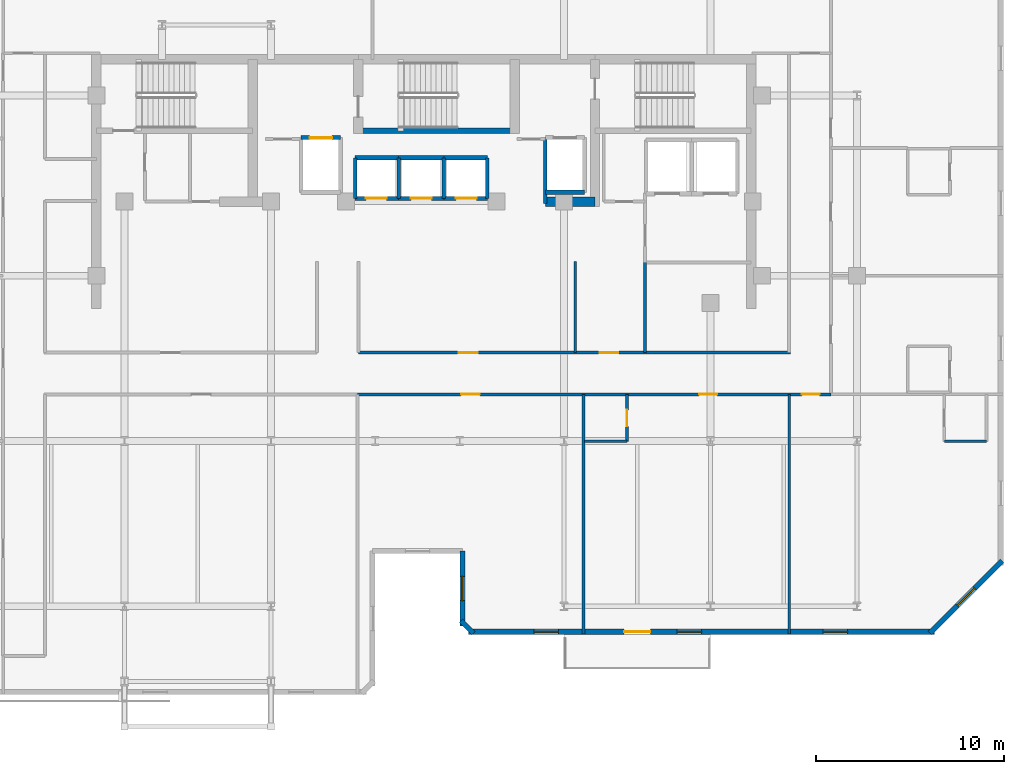
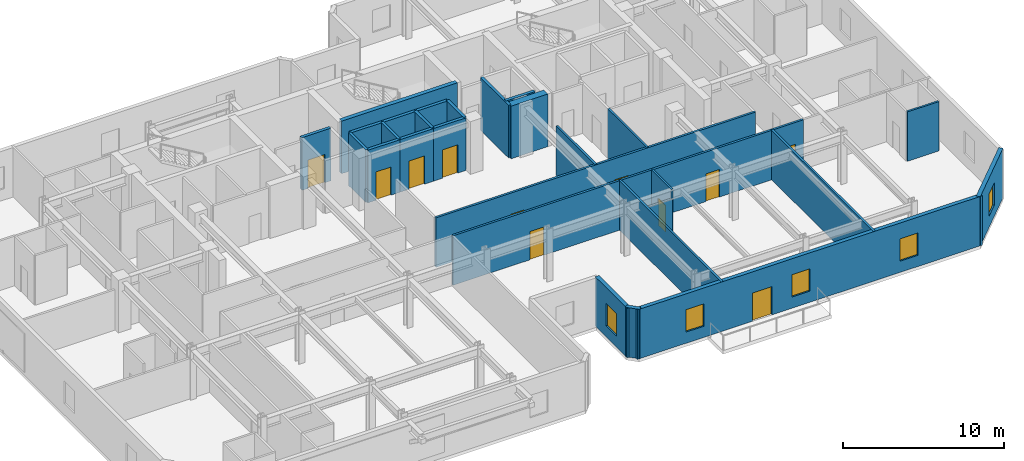
# One storey, part 5 of 10: 28 walls, 11 doors, 5 windows, 16 openings.
"""IFC4 building model written with IfcOpenShell, lengths in metres."""

import ifcopenshell
import ifcopenshell.guid

model = None  # the IFC model being written
_history = None  # IfcOwnerHistory: only IFC2X3 demands one
_inside = {}  # id of a spatial element -> (the spatial element, [elements in it])
_under = {}  # id of a project, library or spatial element -> (it, [spatial elements below it])
_declared = {}  # id of a project -> (the project, [libraries it declares])
_typed = {}  # id of a type object -> (the type object, [elements of that type])
_made_of = {}  # id of a material, layer set ... -> (it, [elements and type objects made of it])


def new_model(schema):
    """Start an empty IFC model of exactly this schema.

    Asked for "IFC4X3", IfcOpenShell would pick the latest addendum, in which some entities
    have other attributes; the version numbers below select the first issue.
    IFC2X3 requires an IfcOwnerHistory on every rooted entity: one is made here for all.
    """
    global model, _history
    if schema == "IFC4X3":
        model = ifcopenshell.file(schema_version=(4, 3, 0, 0))
    else:
        model = ifcopenshell.file(schema=schema)
    _inside.clear()
    _under.clear()
    _declared.clear()
    _typed.clear()
    _made_of.clear()
    _history = None
    if model.schema == "IFC2X3":
        org = make("IfcOrganization", Name="unknown")
        user = make(
            "IfcPersonAndOrganization",
            ThePerson=make("IfcPerson", FamilyName="unknown"),
            TheOrganization=org,
        )
        app = make(
            "IfcApplication",
            ApplicationDeveloper=org,
            Version="unknown",
            ApplicationFullName="unknown",
            ApplicationIdentifier="unknown",
        )
        _history = make(
            "IfcOwnerHistory",
            OwningUser=user,
            OwningApplication=app,
            ChangeAction="ADDED",
            CreationDate=0,
        )
    return model


def make(cls, **values):
    """One entity of the class cls with the attributes given. An attribute that is None is left unset."""
    return model.create_entity(
        cls, **{name: value for name, value in values.items() if value is not None}
    )


def rooted(cls, **values):
    """An entity with a GlobalId (a new one), such as an element, a storey or a relation."""
    return make(cls, GlobalId=ifcopenshell.guid.new(), OwnerHistory=_history, **values)


def si_unit(unit_type, name, prefix=None):
    """IfcSIUnit, for example si_unit("LENGTHUNIT", "METRE", prefix="MILLI")."""
    return make("IfcSIUnit", UnitType=unit_type, Prefix=prefix, Name=name)


def assignment(units):
    """IfcUnitAssignment: the units of a project."""
    return None if units is None else make("IfcUnitAssignment", Units=units)


def point(xyz):
    """IfcCartesianPoint."""
    return None if xyz is None else make("IfcCartesianPoint", Coordinates=xyz)


def direction(xyz):
    """IfcDirection."""
    return None if xyz is None else make("IfcDirection", DirectionRatios=xyz)


def frame(location, z_axis=None, x_axis=None):
    """IfcAxis2Placement3D, a coordinate frame: its origin and axes. An axis left out is left unset."""
    return make(
        "IfcAxis2Placement3D",
        Location=point(location),
        Axis=direction(z_axis),
        RefDirection=direction(x_axis),
    )


def frame_2d(location, x_axis=None):
    """IfcAxis2Placement2D, a coordinate frame in the plane: its origin and x axis."""
    return make(
        "IfcAxis2Placement2D", Location=point(location), RefDirection=direction(x_axis)
    )


def origin():
    """The frame at (0, 0, 0) with its axes left unset."""
    return frame((0.0, 0.0, 0.0))


def place(relative_to, where):
    """IfcLocalPlacement: puts the frame where relative to a parent placement (None: the world)."""
    return make(
        "IfcLocalPlacement", PlacementRelTo=relative_to, RelativePlacement=where
    )


def context(
    kind, dimensions, precision=None, world=None, true_north=None, identifier=None
):
    """IfcGeometricRepresentationContext, for example the 3D "Model" context."""
    return make(
        "IfcGeometricRepresentationContext",
        ContextIdentifier=identifier,
        ContextType=kind,
        CoordinateSpaceDimension=dimensions,
        Precision=precision,
        WorldCoordinateSystem=world,
        TrueNorth=true_north,
    )


def subcontext(parent, identifier, kind, view, scale=None):
    """IfcGeometricRepresentationSubContext, for example "Body" below "Model"."""
    return make(
        "IfcGeometricRepresentationSubContext",
        ContextIdentifier=identifier,
        ContextType=kind,
        ParentContext=parent,
        TargetScale=scale,
        TargetView=view,
    )


def project(units=None, contexts=None):
    """IfcProject with its units and contexts."""
    return rooted(
        "IfcProject",
        Name="project",
        RepresentationContexts=contexts,
        UnitsInContext=assignment(units),
    )


def spatial(cls, under=None, at=None, **own):
    """A site, building, storey or space (cls), placed at a placement, below another one or the project."""
    s = rooted(cls, ObjectPlacement=at, **own)
    if under is not None:
        _under.setdefault(under.id(), (under, []))[1].append(s)
    return s


def profile(cls, at=None, kind="AREA", **sizes):
    """A parametric profile (cls). Its sizes go by their IFC names, for example OverallWidth=200.0."""
    return make(cls, ProfileType=kind, Position=at, **sizes)


def rectangle(**sizes):
    """IfcRectangleProfileDef."""
    return profile("IfcRectangleProfileDef", **sizes)


def extrude(swept, where, along, depth):
    """IfcExtrudedAreaSolid: the profile swept, set in the frame where, extruded along a direction by depth."""
    return make(
        "IfcExtrudedAreaSolid",
        SweptArea=swept,
        Position=where,
        ExtrudedDirection=direction(along),
        Depth=depth,
    )


def shape(context_of_items, identifier, shape_type, items):
    """IfcShapeRepresentation: the items that make up one representation, for example the "Body"."""
    return make(
        "IfcShapeRepresentation",
        ContextOfItems=context_of_items,
        RepresentationIdentifier=identifier,
        RepresentationType=shape_type,
        Items=items,
    )


def material(Name=None, Category=None):
    """IfcMaterial."""
    return make("IfcMaterial", Name=Name, Category=Category)


def layer(
    of_material, thickness, ventilated=None, Name=None, Category=None, Priority=None
):
    """IfcMaterialLayer: one layer of a wall or slab, of a material (None: an air gap)."""
    return make(
        "IfcMaterialLayer",
        Material=of_material,
        LayerThickness=thickness,
        IsVentilated=ventilated,
        Name=Name,
        Category=Category,
        Priority=Priority,
    )


def layer_set(layers, Name=None):
    """IfcMaterialLayerSet."""
    return make("IfcMaterialLayerSet", MaterialLayers=layers, LayerSetName=Name)


def made_of(thing, what):
    """Note that an element or type object is made of a material, layer set ...; save() writes the relation."""
    if what is not None:
        _made_of.setdefault(what.id(), (what, []))[1].append(thing)
    return thing


def type_object(cls, material=None, **own):
    """A type object (cls), such as IfcWallType, which elements share."""
    return made_of(rooted(cls, **own), material)


def element(
    cls,
    number,
    at=None,
    inside=None,
    cuts=None,
    type_object=None,
    material=None,
    context=None,
    identifier="Body",
    shape_type=None,
    held_by="IfcProductDefinitionShape",
    body=None,
    shapes=None,
    **own,
):
    """One element of the class cls, such as IfcWall. Its Tag is "e" and its number.

    at: its placement. inside: the storey or other place that contains it. cuts: it is an
    opening in that element (IfcRelVoidsElement). A single representation is given by context,
    identifier, shape_type and body (its items); several are given by shapes. held_by: the class
    of the entity that holds the representations. save() writes the other relations.
    """
    e = rooted(cls, Tag="e%d" % number, ObjectPlacement=at, **own)
    if body is not None:
        shapes = [shape(context, identifier, shape_type, body)]
    if shapes is not None:
        e.Representation = make(held_by, Representations=shapes)
    if inside is not None:
        _inside.setdefault(inside.id(), (inside, []))[1].append(e)
    if cuts is not None:
        rooted(
            "IfcRelVoidsElement", RelatingBuildingElement=cuts, RelatedOpeningElement=e
        )
    if type_object is not None:
        _typed.setdefault(type_object.id(), (type_object, []))[1].append(e)
    return made_of(e, material)


def fill(opening, filler):
    """IfcRelFillsElement: the door or window that sits in an opening."""
    return rooted(
        "IfcRelFillsElement",
        RelatingOpeningElement=opening,
        RelatedBuildingElement=filler,
    )


def aggregate(whole, parts):
    """IfcRelAggregates: a whole, such as a stair, and the parts it consists of."""
    return rooted("IfcRelAggregates", RelatingObject=whole, RelatedObjects=parts)


def save(model, path):
    """Write the relations noted so far, then the file.

    IfcRelAggregates (storeys below a building ...), IfcRelContainedInSpatialStructure (elements
    in a storey), IfcRelDefinesByType, IfcRelAssociatesMaterial and IfcRelDeclares: one each for
    every whole, place, type object, material and project.
    """
    for whole, parts in _under.values():
        aggregate(whole, parts)
    for where, things in _inside.values():
        rooted(
            "IfcRelContainedInSpatialStructure",
            RelatedElements=things,
            RelatingStructure=where,
        )
    for kind, things in _typed.values():
        rooted("IfcRelDefinesByType", RelatedObjects=things, RelatingType=kind)
    for what, things in _made_of.values():
        rooted("IfcRelAssociatesMaterial", RelatedObjects=things, RelatingMaterial=what)
    for by, libraries in _declared.values():
        rooted("IfcRelDeclares", RelatingContext=by, RelatedDefinitions=libraries)
    model.write(path)


model = new_model("IFC4")

# Units and contexts
model_context = context("Model", 3, precision=1e-05, world=origin(), true_north=direction((0.0, 1.0)))
body_context = subcontext(model_context, "Body", "Model", "MODEL_VIEW")
ifc_project = project(units=[si_unit("LENGTHUNIT", "METRE"), si_unit("AREAUNIT", "SQUARE_METRE"), si_unit("VOLUMEUNIT", "CUBIC_METRE"), si_unit("PLANEANGLEUNIT", "RADIAN"), si_unit("MASSUNIT", "GRAM", prefix="KILO")], contexts=[model_context])

# Site, building, storey
site_placement = place(None, origin())
site = spatial("IfcSite", under=ifc_project, at=site_placement, CompositionType="ELEMENT")
building_placement = place(site_placement, origin())
building = spatial("IfcBuilding", under=site, at=building_placement, Name="Kestravale Grand Hotel", CompositionType="ELEMENT")
storey_placement = place(building_placement, frame((0.0, 0.0, 269.39990234375)))
storey = spatial("IfcBuildingStorey", under=building, at=storey_placement, Name="L67", CompositionType="ELEMENT", Elevation=269.39990234375)

# Wall
ifc_material_1 = material(Name="Concrete f'c 50 MPa", Category="concrete")
ifc_layer_1 = layer(ifc_material_1, 0.5)
ifc_layer_set_1 = layer_set([ifc_layer_1], Name="EW-CORE-500")
wall_type_1 = type_object("IfcWallType", Name="EW-CORE-500", PredefinedType="SHEAR", material=ifc_layer_set_1)
wall_1_placement = place(storey_placement, frame((45.81005859375, 32.75, 0.0), z_axis=(0.0, 0.0, 1.0), x_axis=(1.0, 0.0, 0.0)))
element("IfcWall", 1, at=wall_1_placement, inside=storey, type_object=wall_type_1, Name="L67 core shear wall S2", PredefinedType="SHEAR", context=body_context, shape_type="SweptSolid", body=[
    extrude(rectangle(XDim=2.639892578125, YDim=0.5, at=frame_2d((1.31982421875, 0.0))), origin(), (0.0, 0.0, 1.0), 4.0),
])

# Wall, opening, window
ifc_material_2 = material(Name="Precast concrete f'c 45 MPa", Category="concrete")
ifc_layer_2 = layer(ifc_material_2, 0.280029296875)
ifc_layer_set_2 = layer_set([ifc_layer_2], Name="EW-PREC-280")
wall_type_2 = type_object("IfcWallType", Name="EW-PREC-280", PredefinedType="SOLIDWALL", material=ifc_layer_set_2)
wall_2_placement = place(storey_placement, frame((41.389892578125, 14.139892578125, 0.0), z_axis=(0.0, 0.0, 1.0), x_axis=(0.0, -1.0, 0.0)))
wall_2 = element("IfcWall", 2, at=wall_2_placement, inside=storey, type_object=wall_type_2, Name="L67 fluted precast facade wall 5", PredefinedType="SOLIDWALL", context=body_context, shape_type="SweptSolid", body=[
    extrude(rectangle(XDim=3.97998046875, YDim=0.280029296875, at=frame_2d((1.989990234375, 0.0))), origin(), (0.0, 0.0, 1.0), 3.760009765625),
])
opening_1_placement = place(wall_2_placement, frame((1.340087890625, 0.0, 0.85009765625)))
opening_1 = element("IfcOpeningElement", 3, at=opening_1_placement, cuts=wall_2, Name="Opening W-GUEST-1300", PredefinedType="OPENING", context=body_context, shape_type="SweptSolid", body=[
    extrude(rectangle(XDim=1.300048828125, YDim=1.699951171875, at=frame_2d((0.64990234375, 0.85009765625))), frame((0.0, 0.14990234375, 0.0), z_axis=(0.0, -1.0, 0.0), x_axis=(1.0, 0.0, 0.0)), (0.0, 0.0, 1.0), 0.300048828125),
])
ifc_material_3 = material(Name="Insulated low-E double glazing in aluminium frame", Category="aluminium")
window_type = type_object("IfcWindowType", Name="W-GUEST-1300", PartitioningType="SINGLE_PANEL", PredefinedType="WINDOW", material=ifc_material_3)
window_1_placement = place(opening_1_placement, origin())
window_1 = element("IfcWindow", 4, at=window_1_placement, inside=storey, type_object=window_type, Name="L67 exterior window 5.1", OverallHeight=1.699951171875, OverallWidth=1.300048828125, PartitioningType="SINGLE_PANEL", PredefinedType="WINDOW", context=body_context, shape_type="SweptSolid", body=[
    extrude(rectangle(XDim=1.300048828125, YDim=1.699951171875, at=frame_2d((0.64990234375, 0.85009765625))), frame((0.0, 0.030029296875, 0.0), z_axis=(0.0, -1.0, 0.0), x_axis=(1.0, 0.0, 0.0)), (0.0, 0.0, 1.0), 0.06005859375),
])
fill(opening_1, window_1)

# Wall
wall_3_placement = place(storey_placement, frame((41.32080078125, 10.42724609375, 0.0), z_axis=(0.0, 0.0, 1.0), x_axis=(0.707106781187, -0.707106781187, 0.0)))
element("IfcWall", 5, at=wall_3_placement, inside=storey, type_object=wall_type_2, Name="L67 fluted precast facade wall 6", PredefinedType="SOLIDWALL", context=body_context, shape_type="SweptSolid", body=[
    extrude(rectangle(XDim=0.928466796875, YDim=0.280029296875, at=frame_2d((0.46435546875, 0.0))), origin(), (0.0, 0.0, 1.0), 3.760009765625),
])

# Wall, openings, door, windows
wall_4_placement = place(storey_placement, frame((41.7099609375, 9.840087890625, 0.0), z_axis=(0.0, 0.0, 1.0), x_axis=(1.0, 0.0, 0.0)))
wall_4 = element("IfcWall", 6, at=wall_4_placement, inside=storey, type_object=wall_type_2, Name="L67 fluted precast facade wall 7", PredefinedType="SOLIDWALL", context=body_context, shape_type="SweptSolid", body=[
    extrude(rectangle(XDim=24.830078125, YDim=0.280029296875, at=frame_2d((12.4150390625, 0.0))), origin(), (0.0, 0.0, 1.0), 3.760009765625),
])
opening_2_placement = place(wall_4_placement, frame((8.2900390625, 0.0, 0.0)))
opening_2 = element("IfcOpeningElement", 7, at=opening_2_placement, cuts=wall_4, Name="Opening D-TERR-1400", PredefinedType="OPENING", context=body_context, shape_type="SweptSolid", body=[
    extrude(rectangle(XDim=1.39990234375, YDim=2.14990234375, at=frame_2d((0.699951171875, 1.074951171875))), frame((0.0, 0.14990234375, 0.0), z_axis=(0.0, -1.0, 0.0), x_axis=(1.0, 0.0, 0.0)), (0.0, 0.0, 1.0), 0.300048828125),
])
opening_3_placement = place(wall_4_placement, frame((3.48828125, 0.0, 0.85009765625)))
opening_3 = element("IfcOpeningElement", 8, at=opening_3_placement, cuts=wall_4, Name="Opening W-GUEST-1300", PredefinedType="OPENING", context=body_context, shape_type="SweptSolid", body=[
    extrude(rectangle(XDim=1.300048828125, YDim=1.699951171875, at=frame_2d((0.64990234375, 0.85009765625))), frame((0.0, 0.14990234375, 0.0), z_axis=(0.0, -1.0, 0.0), x_axis=(1.0, 0.0, 0.0)), (0.0, 0.0, 1.0), 0.300048828125),
])
opening_4_placement = place(wall_4_placement, frame((11.114990234375, 0.0, 0.85009765625)))
opening_4 = element("IfcOpeningElement", 9, at=opening_4_placement, cuts=wall_4, Name="Opening W-GUEST-1300", PredefinedType="OPENING", context=body_context, shape_type="SweptSolid", body=[
    extrude(rectangle(XDim=1.300048828125, YDim=1.699951171875, at=frame_2d((0.64990234375, 0.85009765625))), frame((0.0, 0.14990234375, 0.0), z_axis=(0.0, -1.0, 0.0), x_axis=(1.0, 0.0, 0.0)), (0.0, 0.0, 1.0), 0.300048828125),
])
opening_5_placement = place(wall_4_placement, frame((18.8916015625, 0.0, 0.85009765625)))
opening_5 = element("IfcOpeningElement", 10, at=opening_5_placement, cuts=wall_4, Name="Opening W-GUEST-1300", PredefinedType="OPENING", context=body_context, shape_type="SweptSolid", body=[
    extrude(rectangle(XDim=1.300048828125, YDim=1.699951171875, at=frame_2d((0.64990234375, 0.85009765625))), frame((0.0, 0.14990234375, 0.0), z_axis=(0.0, -1.0, 0.0), x_axis=(1.0, 0.0, 0.0)), (0.0, 0.0, 1.0), 0.300048828125),
])
ifc_material_4 = material(Name="Insulated glazed champagne-bronze aluminium door", Category="aluminium")
door_type_1 = type_object("IfcDoorType", Name="D-TERR-1400", OperationType="NOTDEFINED", PredefinedType="DOOR", material=ifc_material_4)
door_1_placement = place(opening_2_placement, origin())
door_1 = element("IfcDoor", 11, at=door_1_placement, inside=storey, type_object=door_type_1, Name="L67 outdoor garden terrace door", OperationType="DOUBLE_DOOR_SINGLE_SWING", OverallHeight=2.14990234375, OverallWidth=1.39990234375, PredefinedType="DOOR", context=body_context, shape_type="SweptSolid", body=[
    extrude(rectangle(XDim=1.39990234375, YDim=2.14990234375, at=frame_2d((0.699951171875, 1.074951171875))), frame((0.0, 0.02490234375, 0.0), z_axis=(0.0, -1.0, 0.0), x_axis=(1.0, 0.0, 0.0)), (0.0, 0.0, 1.0), 0.050048828125),
])
fill(opening_2, door_1)
window_2_placement = place(opening_3_placement, origin())
window_2 = element("IfcWindow", 12, at=window_2_placement, inside=storey, type_object=window_type, Name="L67 exterior window 7.1", OverallHeight=1.699951171875, OverallWidth=1.300048828125, PartitioningType="SINGLE_PANEL", PredefinedType="WINDOW", context=body_context, shape_type="SweptSolid", body=[
    extrude(rectangle(XDim=1.300048828125, YDim=1.699951171875, at=frame_2d((0.64990234375, 0.85009765625))), frame((0.0, 0.030029296875, 0.0), z_axis=(0.0, -1.0, 0.0), x_axis=(1.0, 0.0, 0.0)), (0.0, 0.0, 1.0), 0.06005859375),
])
fill(opening_3, window_2)
window_3_placement = place(opening_4_placement, origin())
window_3 = element("IfcWindow", 13, at=window_3_placement, inside=storey, type_object=window_type, Name="L67 exterior window 7.2", OverallHeight=1.699951171875, OverallWidth=1.300048828125, PartitioningType="SINGLE_PANEL", PredefinedType="WINDOW", context=body_context, shape_type="SweptSolid", body=[
    extrude(rectangle(XDim=1.300048828125, YDim=1.699951171875, at=frame_2d((0.64990234375, 0.85009765625))), frame((0.0, 0.030029296875, 0.0), z_axis=(0.0, -1.0, 0.0), x_axis=(1.0, 0.0, 0.0)), (0.0, 0.0, 1.0), 0.06005859375),
])
fill(opening_4, window_3)
window_4_placement = place(opening_5_placement, origin())
window_4 = element("IfcWindow", 14, at=window_4_placement, inside=storey, type_object=window_type, Name="L67 exterior window 7.3", OverallHeight=1.699951171875, OverallWidth=1.300048828125, PartitioningType="SINGLE_PANEL", PredefinedType="WINDOW", context=body_context, shape_type="SweptSolid", body=[
    extrude(rectangle(XDim=1.300048828125, YDim=1.699951171875, at=frame_2d((0.64990234375, 0.85009765625))), frame((0.0, 0.030029296875, 0.0), z_axis=(0.0, -1.0, 0.0), x_axis=(1.0, 0.0, 0.0)), (0.0, 0.0, 1.0), 0.06005859375),
])
fill(opening_5, window_4)

# Wall, opening, window
wall_5_placement = place(storey_placement, frame((66.272705078125, 9.770751953125, 0.0), z_axis=(0.0, 0.0, 1.0), x_axis=(0.707129162587, 0.707084399077, 0.0)))
wall_5 = element("IfcWall", 15, at=wall_5_placement, inside=storey, type_object=wall_type_2, Name="L67 fluted precast facade wall 8", PredefinedType="SOLIDWALL", context=body_context, shape_type="SweptSolid", body=[
    extrude(rectangle(XDim=5.4541015625, YDim=0.280029296875, at=frame_2d((2.72705078125, 0.0))), origin(), (0.0, 0.0, 1.0), 3.760009765625),
])
opening_6_placement = place(wall_5_placement, frame((2.076904296875, 0.0, 0.85009765625)))
opening_6 = element("IfcOpeningElement", 16, at=opening_6_placement, cuts=wall_5, Name="Opening W-GUEST-1300", PredefinedType="OPENING", context=body_context, shape_type="SweptSolid", body=[
    extrude(rectangle(XDim=1.300048828125, YDim=1.699951171875, at=frame_2d((0.64990234375, 0.85009765625))), frame((0.0, 0.14990234375, 0.0), z_axis=(0.0, -1.0, 0.0), x_axis=(1.0, 0.0, 0.0)), (0.0, 0.0, 1.0), 0.300048828125),
])
window_5_placement = place(opening_6_placement, origin())
window_5 = element("IfcWindow", 17, at=window_5_placement, inside=storey, type_object=window_type, Name="L67 exterior window 8.1", OverallHeight=1.699951171875, OverallWidth=1.300048828125, PartitioningType="SINGLE_PANEL", PredefinedType="WINDOW", context=body_context, shape_type="SweptSolid", body=[
    extrude(rectangle(XDim=1.300048828125, YDim=1.699951171875, at=frame_2d((0.64990234375, 0.85009765625))), frame((0.0, 0.030029296875, 0.0), z_axis=(0.0, -1.0, 0.0), x_axis=(1.0, 0.0, 0.0)), (0.0, 0.0, 1.0), 0.06005859375),
])
fill(opening_6, window_5)

# Wall
ifc_material_5 = material(Name="Concrete f'c 45 MPa", Category="concrete")
ifc_layer_3 = layer(ifc_material_5, 0.300048828125)
ifc_layer_set_3 = layer_set([ifc_layer_3], Name="EW-STAIR-300")
wall_type_3 = type_object("IfcWallType", Name="EW-STAIR-300", PredefinedType="SHEAR", material=ifc_layer_set_3)
wall_6_placement = place(storey_placement, frame((35.85009765625, 36.52001953125, 0.0), z_axis=(0.0, 0.0, 1.0), x_axis=(1.0, 0.0, 0.0)))
element("IfcWall", 18, at=wall_6_placement, inside=storey, type_object=wall_type_3, Name="L67 stair enclosure shear wall SST2", PredefinedType="SHEAR", context=body_context, shape_type="SweptSolid", body=[
    extrude(rectangle(XDim=8.329833984375, YDim=0.300048828125, at=frame_2d((4.1650390625, 0.0))), origin(), (0.0, 0.0, 1.0), 4.0),
])

# Wall, openings, doors
ifc_material_6 = material(Name="Acoustic fire-rated gypsum board partition", Category="other")
ifc_layer_4 = layer(ifc_material_6, 0.159912109375)
ifc_layer_set_4 = layer_set([ifc_layer_4], Name="IW-CORR-160")
wall_type_4 = type_object("IfcWallType", Name="IW-CORR-160", PredefinedType="PARTITIONING", material=ifc_layer_set_4)
wall_7_placement = place(storey_placement, frame((35.85009765625, 24.7099609375, 0.0), z_axis=(0.0, 0.0, 1.0), x_axis=(1.0, 0.0, 0.0)))
wall_7 = element("IfcWall", 19, at=wall_7_placement, inside=storey, type_object=wall_type_4, Name="W-L67-CE-N", PredefinedType="PARTITIONING", context=body_context, shape_type="SweptSolid", body=[
    extrude(rectangle(XDim=23.0, YDim=0.159912109375, at=frame_2d((11.5, 0.0))), origin(), (0.0, 0.0, 1.0), 3.760009765625),
])
opening_7_placement = place(wall_7_placement, frame((5.35009765625, 0.0, 0.0)))
opening_7 = element("IfcOpeningElement", 20, at=opening_7_placement, cuts=wall_7, Name="Opening D-GUEST-1000", PredefinedType="OPENING", context=body_context, shape_type="SweptSolid", body=[
    extrude(rectangle(XDim=1.0, YDim=2.14990234375, at=frame_2d((0.5, 1.074951171875))), frame((0.0, 0.08984375, 0.0), z_axis=(0.0, -1.0, 0.0), x_axis=(1.0, 0.0, 0.0)), (0.0, 0.0, 1.0), 0.179931640625),
])
opening_8_placement = place(wall_7_placement, frame((12.85009765625, 0.0, 0.0)))
opening_8 = element("IfcOpeningElement", 21, at=opening_8_placement, cuts=wall_7, Name="Opening D-GUEST-1000", PredefinedType="OPENING", context=body_context, shape_type="SweptSolid", body=[
    extrude(rectangle(XDim=1.0, YDim=2.14990234375, at=frame_2d((0.5, 1.074951171875))), frame((0.0, 0.08984375, 0.0), z_axis=(0.0, -1.0, 0.0), x_axis=(1.0, 0.0, 0.0)), (0.0, 0.0, 1.0), 0.179931640625),
])
ifc_material_7 = material(Name="Accessible walnut veneer hotel entrance fire door", Category="wood")
door_type_2 = type_object("IfcDoorType", Name="D-GUEST-1000", OperationType="NOTDEFINED", PredefinedType="DOOR", material=ifc_material_7)
door_2_placement = place(opening_7_placement, origin())
door_2 = element("IfcDoor", 22, at=door_2_placement, inside=storey, type_object=door_type_2, Name="D-L67-RECL-E1", OperationType="SINGLE_SWING_RIGHT", OverallHeight=2.14990234375, OverallWidth=1.0, PredefinedType="DOOR", context=body_context, shape_type="SweptSolid", body=[
    extrude(rectangle(XDim=1.0, YDim=2.14990234375, at=frame_2d((0.5, 1.074951171875))), frame((0.0, 0.02490234375, 0.0), z_axis=(0.0, -1.0, 0.0), x_axis=(1.0, 0.0, 0.0)), (0.0, 0.0, 1.0), 0.050048828125),
])
fill(opening_7, door_2)
door_3_placement = place(opening_8_placement, origin())
door_3 = element("IfcDoor", 23, at=door_3_placement, inside=storey, type_object=door_type_2, Name="D-L67-RECL-E2", OperationType="SINGLE_SWING_LEFT", OverallHeight=2.14990234375, OverallWidth=1.0, PredefinedType="DOOR", context=body_context, shape_type="SweptSolid", body=[
    extrude(rectangle(XDim=1.0, YDim=2.14990234375, at=frame_2d((0.5, 1.074951171875))), frame((0.0, 0.02490234375, 0.0), z_axis=(0.0, -1.0, 0.0), x_axis=(1.0, 0.0, 0.0)), (0.0, 0.0, 1.0), 0.050048828125),
])
fill(opening_8, door_3)

wall_8_placement = place(storey_placement, frame((35.800048828125, 22.489990234375, 0.0), z_axis=(0.0, 0.0, 1.0), x_axis=(1.0, 0.0, 0.0)))
wall_8 = element("IfcWall", 24, at=wall_8_placement, inside=storey, type_object=wall_type_4, Name="W-L67-CE-S", PredefinedType="PARTITIONING", context=body_context, shape_type="SweptSolid", body=[
    extrude(rectangle(XDim=25.2099609375, YDim=0.159912109375, at=frame_2d((12.60498046875, 0.0))), origin(), (0.0, 0.0, 1.0), 3.760009765625),
])
opening_9_placement = place(wall_8_placement, frame((5.5224609375, 0.0, 0.0)))
opening_9 = element("IfcOpeningElement", 25, at=opening_9_placement, cuts=wall_8, Name="Opening D-GUEST-1000", PredefinedType="OPENING", context=body_context, shape_type="SweptSolid", body=[
    extrude(rectangle(XDim=1.0, YDim=2.14990234375, at=frame_2d((0.5, 1.074951171875))), frame((0.0, 0.08984375, 0.0), z_axis=(0.0, -1.0, 0.0), x_axis=(1.0, 0.0, 0.0)), (0.0, 0.0, 1.0), 0.179931640625),
])
opening_10_placement = place(wall_8_placement, frame((18.197509765625, 0.0, 0.0)))
opening_10 = element("IfcOpeningElement", 26, at=opening_10_placement, cuts=wall_8, Name="Opening D-GUEST-950", PredefinedType="OPENING", context=body_context, shape_type="SweptSolid", body=[
    extrude(rectangle(XDim=0.949951171875, YDim=2.10009765625, at=frame_2d((0.47509765625, 1.050048828125))), frame((0.0, 0.08984375, 0.0), z_axis=(0.0, -1.0, 0.0), x_axis=(1.0, 0.0, 0.0)), (0.0, 0.0, 1.0), 0.179931640625),
])
opening_11_placement = place(wall_8_placement, frame((23.6650390625, 0.0, 0.0)))
opening_11 = element("IfcOpeningElement", 27, at=opening_11_placement, cuts=wall_8, Name="Opening D-GUEST-950", PredefinedType="OPENING", context=body_context, shape_type="SweptSolid", body=[
    extrude(rectangle(XDim=0.949951171875, YDim=2.10009765625, at=frame_2d((0.47509765625, 1.050048828125))), frame((0.0, 0.08984375, 0.0), z_axis=(0.0, -1.0, 0.0), x_axis=(1.0, 0.0, 0.0)), (0.0, 0.0, 1.0), 0.179931640625),
])
door_4_placement = place(opening_9_placement, origin())
door_4 = element("IfcDoor", 28, at=door_4_placement, inside=storey, type_object=door_type_2, Name="D-L67-AME", OperationType="SINGLE_SWING_LEFT", OverallHeight=2.14990234375, OverallWidth=1.0, PredefinedType="DOOR", context=body_context, shape_type="SweptSolid", body=[
    extrude(rectangle(XDim=1.0, YDim=2.14990234375, at=frame_2d((0.5, 1.074951171875))), frame((0.0, 0.02490234375, 0.0), z_axis=(0.0, -1.0, 0.0), x_axis=(1.0, 0.0, 0.0)), (0.0, 0.0, 1.0), 0.050048828125),
])
fill(opening_9, door_4)
ifc_material_8 = material(Name="Walnut veneer hotel guestroom entrance fire door", Category="wood")
door_type_3 = type_object("IfcDoorType", Name="D-GUEST-950", OperationType="NOTDEFINED", PredefinedType="DOOR", material=ifc_material_8)
door_5_placement = place(opening_10_placement, origin())
door_5 = element("IfcDoor", 29, at=door_5_placement, inside=storey, type_object=door_type_3, Name="D-L67-U01-ENT", OperationType="SINGLE_SWING_LEFT", OverallHeight=2.10009765625, OverallWidth=0.949951171875, PredefinedType="DOOR", context=body_context, shape_type="SweptSolid", body=[
    extrude(rectangle(XDim=0.949951171875, YDim=2.10009765625, at=frame_2d((0.47509765625, 1.050048828125))), frame((0.0, 0.02490234375, 0.0), z_axis=(0.0, -1.0, 0.0), x_axis=(1.0, 0.0, 0.0)), (0.0, 0.0, 1.0), 0.050048828125),
])
fill(opening_10, door_5)
door_6_placement = place(opening_11_placement, origin())
door_6 = element("IfcDoor", 30, at=door_6_placement, inside=storey, type_object=door_type_3, Name="D-L67-U05-ENT", OperationType="SINGLE_SWING_RIGHT", OverallHeight=2.10009765625, OverallWidth=0.949951171875, PredefinedType="DOOR", context=body_context, shape_type="SweptSolid", body=[
    extrude(rectangle(XDim=0.949951171875, YDim=2.10009765625, at=frame_2d((0.47509765625, 1.050048828125))), frame((0.0, 0.02490234375, 0.0), z_axis=(0.0, -1.0, 0.0), x_axis=(1.0, 0.0, 0.0)), (0.0, 0.0, 1.0), 0.050048828125),
])
fill(opening_11, door_6)

# Wall, opening, door
ifc_material_9 = material(Name="Moisture-resistant tile-backer plumbing chase wall", Category="other")
ifc_layer_5 = layer(ifc_material_9, 0.139892578125)
ifc_layer_set_5 = layer_set([ifc_layer_5], Name="IW-PLB-140")
wall_type_5 = type_object("IfcWallType", Name="IW-PLB-140", PredefinedType="PLUMBINGWALL", material=ifc_layer_set_5)
wall_9_placement = place(storey_placement, frame((50.155029296875, 19.97998046875, 0.0), z_axis=(0.0, 0.0, 1.0), x_axis=(0.0, 1.0, 0.0)))
wall_9 = element("IfcWall", 31, at=wall_9_placement, inside=storey, type_object=wall_type_5, Name="W-L67-U01-BE", PredefinedType="PLUMBINGWALL", context=body_context, shape_type="SweptSolid", body=[
    extrude(rectangle(XDim=2.489990234375, YDim=0.139892578125, at=frame_2d((1.2451171875, 0.0))), origin(), (0.0, 0.0, 1.0), 3.760009765625),
])
opening_12_placement = place(wall_9_placement, frame((0.804931640625, 0.0, 0.0)))
opening_12 = element("IfcOpeningElement", 32, at=opening_12_placement, cuts=wall_9, Name="Opening D-BATH-880", PredefinedType="OPENING", context=body_context, shape_type="SweptSolid", body=[
    extrude(rectangle(XDim=0.8798828125, YDim=2.050048828125, at=frame_2d((0.43994140625, 1.02490234375))), frame((0.0, 0.079833984375, 0.0), z_axis=(0.0, -1.0, 0.0), x_axis=(1.0, 0.0, 0.0)), (0.0, 0.0, 1.0), 0.159912109375),
])
ifc_material_10 = material(Name="Moisture-sealed walnut en-suite bathroom door", Category="wood")
door_type_4 = type_object("IfcDoorType", Name="D-BATH-880", OperationType="NOTDEFINED", PredefinedType="DOOR", material=ifc_material_10)
door_7_placement = place(opening_12_placement, origin())
door_7 = element("IfcDoor", 33, at=door_7_placement, inside=storey, type_object=door_type_4, Name="D-L67-U01-BATH", OperationType="SINGLE_SWING_RIGHT", OverallHeight=2.050048828125, OverallWidth=0.8798828125, PredefinedType="DOOR", context=body_context, shape_type="SweptSolid", body=[
    extrude(rectangle(XDim=0.8798828125, YDim=2.050048828125, at=frame_2d((0.43994140625, 1.02490234375))), frame((0.0, 0.02490234375, 0.0), z_axis=(0.0, -1.0, 0.0), x_axis=(1.0, 0.0, 0.0)), (0.0, 0.0, 1.0), 0.050048828125),
])
fill(opening_12, door_7)

# Walls
wall_10_placement = place(storey_placement, frame((47.905029296875, 19.97998046875, 0.0), z_axis=(0.0, 0.0, 1.0), x_axis=(1.0, 0.0, 0.0)))
element("IfcWall", 34, at=wall_10_placement, inside=storey, type_object=wall_type_5, Name="W-L67-U01-BS", PredefinedType="PLUMBINGWALL", context=body_context, shape_type="SweptSolid", body=[
    extrude(rectangle(XDim=2.25, YDim=0.139892578125, at=frame_2d((1.125, 0.0))), origin(), (0.0, 0.0, 1.0), 3.064208984375),
])
wall_11_placement = place(storey_placement, frame((67.050048828125, 19.97998046875, 0.0), z_axis=(0.0, 0.0, 1.0), x_axis=(1.0, 0.0, 0.0)))
element("IfcWall", 35, at=wall_11_placement, inside=storey, type_object=wall_type_5, Name="W-L67-U05-BS", PredefinedType="PLUMBINGWALL", context=body_context, shape_type="SweptSolid", body=[
    extrude(rectangle(XDim=2.25, YDim=0.139892578125, at=frame_2d((1.125, 0.0))), origin(), (0.0, 0.0, 1.0), 3.760009765625),
])
ifc_material_11 = material(Name="Concrete f'c 45 MPa", Category="concrete")
ifc_layer_6 = layer(ifc_material_11, 0.199951171875)
ifc_layer_set_6 = layer_set([ifc_layer_6], Name="IW-SHAFT-200")
wall_type_6 = type_object("IfcWallType", Name="IW-SHAFT-200", PredefinedType="SHEAR", material=ifc_layer_set_6)
for number, where, z_axis, x_axis, name in (
    (36, (35.679931640625, 32.919921875, 0.0), (0.0, 0.0, 1.0), (0.0, 1.0, 0.0), "L67 PL-X1 west shaft wall"),
    (37, (38.0, 32.919921875, 0.0), (0.0, 0.0, 1.0), (0.0, 1.0, 0.0), "L67 PL-X2 west shaft wall"),
    (38, (40.39990234375, 32.919921875, 0.0), (0.0, 0.0, 1.0), (0.0, 1.0, 0.0), "L67 PL-X3 west shaft wall"),
    (39, (42.719970703125, 32.919921875, 0.0), (0.0, 0.0, 1.0), (0.0, 1.0, 0.0), "L67 PL-X3 east shaft wall"),
):
    element("IfcWall", number, at=place(storey_placement, frame(where, z_axis=z_axis, x_axis=x_axis)), inside=storey, type_object=wall_type_6, Name=name, PredefinedType="SHEAR", context=body_context, shape_type="SweptSolid", body=[
        extrude(rectangle(XDim=2.16015625, YDim=0.199951171875, at=frame_2d((1.080078125, 0.0))), origin(), (0.0, 0.0, 1.0), 4.0),
    ])
wall_12_placement = place(storey_placement, frame((45.804931640625, 32.64990234375, 0.0), z_axis=(0.0, 0.0, 1.0), x_axis=(0.0, 1.0, 0.0)))
element("IfcWall", 40, at=wall_12_placement, inside=storey, type_object=wall_type_6, Name="L67 FL-2 west shaft wall", PredefinedType="SHEAR", context=body_context, shape_type="SweptSolid", body=[
    extrude(rectangle(XDim=3.505126953125, YDim=0.199951171875, at=frame_2d((1.75244140625, 0.0))), origin(), (0.0, 0.0, 1.0), 4.0),
])
ifc_material_12 = material(Name="Concrete f'c 45 MPa", Category="concrete")
ifc_layer_7 = layer(ifc_material_12, 0.219970703125)
ifc_layer_set_7 = layer_set([ifc_layer_7], Name="IW-SHAFT-220")
wall_type_7 = type_object("IfcWallType", Name="IW-SHAFT-220", PredefinedType="SHEAR", material=ifc_layer_set_7)
wall_13_placement = place(storey_placement, frame((35.679931640625, 35.080078125, 0.0), z_axis=(0.0, 0.0, 1.0), x_axis=(1.0, 0.0, 0.0)))
element("IfcWall", 41, at=wall_13_placement, inside=storey, type_object=wall_type_7, Name="L67 PL-X1 north shaft wall", PredefinedType="SHEAR", context=body_context, shape_type="SweptSolid", body=[
    extrude(rectangle(XDim=2.320068359375, YDim=0.219970703125, at=frame_2d((1.16015625, 0.0))), origin(), (0.0, 0.0, 1.0), 4.0),
])

# Wall, opening, door
wall_14_placement = place(storey_placement, frame((35.679931640625, 32.919921875, 0.0), z_axis=(0.0, 0.0, 1.0), x_axis=(1.0, 0.0, 0.0)))
wall_14 = element("IfcWall", 42, at=wall_14_placement, inside=storey, type_object=wall_type_7, Name="L67 PL-X1 south shaft wall", PredefinedType="SHEAR", context=body_context, shape_type="SweptSolid", body=[
    extrude(rectangle(XDim=2.320068359375, YDim=0.219970703125, at=frame_2d((1.16015625, 0.0))), origin(), (0.0, 0.0, 1.0), 4.0),
])
opening_13_placement = place(wall_14_placement, frame((0.570068359375, 0.0, 0.0)))
opening_13 = element("IfcOpeningElement", 43, at=opening_13_placement, cuts=wall_14, Name="Opening LD-PAX-1100", PredefinedType="OPENING", context=body_context, shape_type="SweptSolid", body=[
    extrude(rectangle(XDim=1.10009765625, YDim=2.14990234375, at=frame_2d((0.550048828125, 1.074951171875))), frame((0.0, 0.119873046875, 0.0), z_axis=(0.0, -1.0, 0.0), x_axis=(1.0, 0.0, 0.0)), (0.0, 0.0, 1.0), 0.239990234375),
])
ifc_material_13 = material(Name="Champagne-bronze center-opening sliding elevator landing door", Category="steel")
door_type_5 = type_object("IfcDoorType", Name="LD-PAX-1100", OperationType="NOTDEFINED", PredefinedType="DOOR", material=ifc_material_13)
door_8_placement = place(opening_13_placement, origin())
door_8 = element("IfcDoor", 44, at=door_8_placement, inside=storey, type_object=door_type_5, Name="L67 PL-X1 elevator landing sliding door", OperationType="DOUBLE_DOOR_SLIDING", OverallHeight=2.14990234375, OverallWidth=1.10009765625, PredefinedType="DOOR", context=body_context, shape_type="SweptSolid", body=[
    extrude(rectangle(XDim=1.10009765625, YDim=2.14990234375, at=frame_2d((0.550048828125, 1.074951171875))), frame((0.0, 0.02490234375, 0.0), z_axis=(0.0, -1.0, 0.0), x_axis=(1.0, 0.0, 0.0)), (0.0, 0.0, 1.0), 0.050048828125),
])
fill(opening_13, door_8)

# Wall
wall_15_placement = place(storey_placement, frame((38.0, 35.080078125, 0.0), z_axis=(0.0, 0.0, 1.0), x_axis=(1.0, 0.0, 0.0)))
element("IfcWall", 45, at=wall_15_placement, inside=storey, type_object=wall_type_7, Name="L67 PL-X2 north shaft wall", PredefinedType="SHEAR", context=body_context, shape_type="SweptSolid", body=[
    extrude(rectangle(XDim=2.39990234375, YDim=0.219970703125, at=frame_2d((1.199951171875, 0.0))), origin(), (0.0, 0.0, 1.0), 4.0),
])

# Wall, opening, door
wall_16_placement = place(storey_placement, frame((38.0, 32.919921875, 0.0), z_axis=(0.0, 0.0, 1.0), x_axis=(1.0, 0.0, 0.0)))
wall_16 = element("IfcWall", 46, at=wall_16_placement, inside=storey, type_object=wall_type_7, Name="L67 PL-X2 south shaft wall", PredefinedType="SHEAR", context=body_context, shape_type="SweptSolid", body=[
    extrude(rectangle(XDim=2.39990234375, YDim=0.219970703125, at=frame_2d((1.199951171875, 0.0))), origin(), (0.0, 0.0, 1.0), 4.0),
])
opening_14_placement = place(wall_16_placement, frame((0.64990234375, 0.0, 0.0)))
opening_14 = element("IfcOpeningElement", 47, at=opening_14_placement, cuts=wall_16, Name="Opening LD-PAX-1100", PredefinedType="OPENING", context=body_context, shape_type="SweptSolid", body=[
    extrude(rectangle(XDim=1.10009765625, YDim=2.14990234375, at=frame_2d((0.550048828125, 1.074951171875))), frame((0.0, 0.119873046875, 0.0), z_axis=(0.0, -1.0, 0.0), x_axis=(1.0, 0.0, 0.0)), (0.0, 0.0, 1.0), 0.239990234375),
])
door_9_placement = place(opening_14_placement, origin())
door_9 = element("IfcDoor", 48, at=door_9_placement, inside=storey, type_object=door_type_5, Name="L67 PL-X2 elevator landing sliding door", OperationType="DOUBLE_DOOR_SLIDING", OverallHeight=2.14990234375, OverallWidth=1.10009765625, PredefinedType="DOOR", context=body_context, shape_type="SweptSolid", body=[
    extrude(rectangle(XDim=1.10009765625, YDim=2.14990234375, at=frame_2d((0.550048828125, 1.074951171875))), frame((0.0, 0.02490234375, 0.0), z_axis=(0.0, -1.0, 0.0), x_axis=(1.0, 0.0, 0.0)), (0.0, 0.0, 1.0), 0.050048828125),
])
fill(opening_14, door_9)

# Wall
wall_17_placement = place(storey_placement, frame((40.39990234375, 35.080078125, 0.0), z_axis=(0.0, 0.0, 1.0), x_axis=(1.0, 0.0, 0.0)))
element("IfcWall", 49, at=wall_17_placement, inside=storey, type_object=wall_type_7, Name="L67 PL-X3 north shaft wall", PredefinedType="SHEAR", context=body_context, shape_type="SweptSolid", body=[
    extrude(rectangle(XDim=2.320068359375, YDim=0.219970703125, at=frame_2d((1.16015625, 0.0))), origin(), (0.0, 0.0, 1.0), 4.0),
])

# Wall, opening, door
wall_18_placement = place(storey_placement, frame((40.39990234375, 32.919921875, 0.0), z_axis=(0.0, 0.0, 1.0), x_axis=(1.0, 0.0, 0.0)))
wall_18 = element("IfcWall", 50, at=wall_18_placement, inside=storey, type_object=wall_type_7, Name="L67 PL-X3 south shaft wall", PredefinedType="SHEAR", context=body_context, shape_type="SweptSolid", body=[
    extrude(rectangle(XDim=2.320068359375, YDim=0.219970703125, at=frame_2d((1.16015625, 0.0))), origin(), (0.0, 0.0, 1.0), 4.0),
])
opening_15_placement = place(wall_18_placement, frame((0.64990234375, 0.0, 0.0)))
opening_15 = element("IfcOpeningElement", 51, at=opening_15_placement, cuts=wall_18, Name="Opening LD-PAX-1100", PredefinedType="OPENING", context=body_context, shape_type="SweptSolid", body=[
    extrude(rectangle(XDim=1.10009765625, YDim=2.14990234375, at=frame_2d((0.550048828125, 1.074951171875))), frame((0.0, 0.119873046875, 0.0), z_axis=(0.0, -1.0, 0.0), x_axis=(1.0, 0.0, 0.0)), (0.0, 0.0, 1.0), 0.239990234375),
])
door_10_placement = place(opening_15_placement, origin())
door_10 = element("IfcDoor", 52, at=door_10_placement, inside=storey, type_object=door_type_5, Name="L67 PL-X3 elevator landing sliding door", OperationType="DOUBLE_DOOR_SLIDING", OverallHeight=2.14990234375, OverallWidth=1.10009765625, PredefinedType="DOOR", context=body_context, shape_type="SweptSolid", body=[
    extrude(rectangle(XDim=1.10009765625, YDim=2.14990234375, at=frame_2d((0.550048828125, 1.074951171875))), frame((0.0, 0.02490234375, 0.0), z_axis=(0.0, -1.0, 0.0), x_axis=(1.0, 0.0, 0.0)), (0.0, 0.0, 1.0), 0.050048828125),
])
fill(opening_15, door_10)

wall_19_placement = place(storey_placement, frame((32.804931640625, 36.155029296875, 0.0), z_axis=(0.0, 0.0, 1.0), x_axis=(1.0, 0.0, 0.0)))
wall_19 = element("IfcWall", 53, at=wall_19_placement, inside=storey, type_object=wall_type_7, Name="L67 FL-1 north shaft wall", PredefinedType="SHEAR", context=body_context, shape_type="SweptSolid", body=[
    extrude(rectangle(XDim=2.090087890625, YDim=0.219970703125, at=frame_2d((1.044921875, 0.0))), origin(), (0.0, 0.0, 1.0), 4.0),
])
opening_16_placement = place(wall_19_placement, frame((0.445068359375, 0.0, 0.0)))
opening_16 = element("IfcOpeningElement", 54, at=opening_16_placement, cuts=wall_19, Name="Opening LD-FSAE-1200", PredefinedType="OPENING", context=body_context, shape_type="SweptSolid", body=[
    extrude(rectangle(XDim=1.199951171875, YDim=2.14990234375, at=frame_2d((0.60009765625, 1.074951171875))), frame((0.0, 0.119873046875, 0.0), z_axis=(0.0, -1.0, 0.0), x_axis=(1.0, 0.0, 0.0)), (0.0, 0.0, 1.0), 0.239990234375),
])
ifc_material_14 = material(Name="Stainless fire-service sliding elevator landing door", Category="steel")
door_type_6 = type_object("IfcDoorType", Name="LD-FSAE-1200", OperationType="NOTDEFINED", PredefinedType="DOOR", material=ifc_material_14)
door_11_placement = place(opening_16_placement, origin())
door_11 = element("IfcDoor", 55, at=door_11_placement, inside=storey, type_object=door_type_6, Name="L67 FL-1 elevator landing sliding door", OperationType="DOUBLE_DOOR_SLIDING", OverallHeight=2.14990234375, OverallWidth=1.199951171875, PredefinedType="DOOR", context=body_context, shape_type="SweptSolid", body=[
    extrude(rectangle(XDim=1.199951171875, YDim=2.14990234375, at=frame_2d((0.60009765625, 1.074951171875))), frame((0.0, 0.02490234375, 0.0), z_axis=(0.0, -1.0, 0.0), x_axis=(1.0, 0.0, 0.0)), (0.0, 0.0, 1.0), 0.050048828125),
])
fill(opening_16, door_11)

# Walls
wall_20_placement = place(storey_placement, frame((45.804931640625, 33.2451171875, 0.0), z_axis=(0.0, 0.0, 1.0), x_axis=(1.0, 0.0, 0.0)))
element("IfcWall", 56, at=wall_20_placement, inside=storey, type_object=wall_type_7, Name="L67 FL-2 south shaft wall", PredefinedType="SHEAR", context=body_context, shape_type="SweptSolid", body=[
    extrude(rectangle(XDim=2.090087890625, YDim=0.219970703125, at=frame_2d((1.044921875, 0.0))), origin(), (0.0, 0.0, 1.0), 4.0),
])
ifc_material_15 = material(Name="Double-stud STC 52 acoustic demising partition", Category="other")
ifc_layer_8 = layer(ifc_material_15, 0.14990234375)
ifc_layer_set_8 = layer_set([ifc_layer_8], Name="IW-UNIT-150")
wall_type_8 = type_object("IfcWallType", Name="IW-UNIT-150", PredefinedType="PARTITIONING", material=ifc_layer_set_8)
for number, where, z_axis, x_axis, name in (
    (57, (47.39990234375, 24.7099609375, 0.0), (0.0, 0.0, 1.0), (0.0, 1.0, 0.0), "W-L67-RCLE-M"),
    (58, (51.1201171875, 24.7099609375, 0.0), (0.0, 0.0, 1.0), (0.0, 1.0, 0.0), "W-L67-RCLE-E"),
):
    element("IfcWall", number, at=place(storey_placement, frame(where, z_axis=z_axis, x_axis=x_axis)), inside=storey, type_object=wall_type_8, Name=name, PredefinedType="PARTITIONING", context=body_context, shape_type="SweptSolid", body=[
        extrude(rectangle(XDim=4.840087890625, YDim=0.14990234375, at=frame_2d((2.419921875, 0.0))), origin(), (0.0, 0.0, 1.0), 3.760009765625),
    ])
for number, where, z_axis, x_axis, name in (
    (59, (47.844970703125, 9.719970703125, 0.0), (0.0, 0.0, 1.0), (0.0, 1.0, 0.0), "W-L67-ES-1"),
    (60, (58.7900390625, 9.719970703125, 0.0), (0.0, 0.0, 1.0), (0.0, 1.0, 0.0), "W-L67-SEC-W"),
):
    element("IfcWall", number, at=place(storey_placement, frame(where, z_axis=z_axis, x_axis=x_axis)), inside=storey, type_object=wall_type_8, Name=name, PredefinedType="PARTITIONING", context=body_context, shape_type="SweptSolid", body=[
        extrude(rectangle(XDim=12.77001953125, YDim=0.14990234375, at=frame_2d((6.385009765625, 0.0))), origin(), (0.0, 0.0, 1.0), 3.760009765625),
    ])

save(model, "model.ifc")
